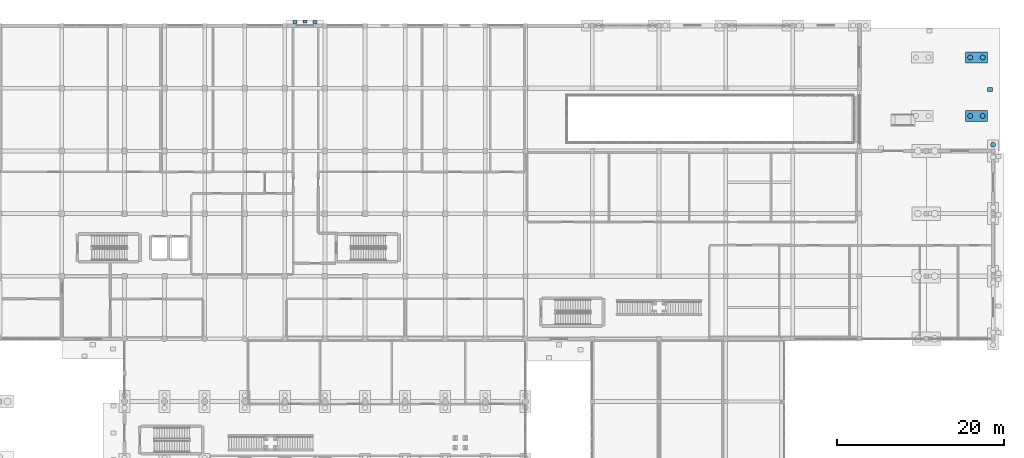
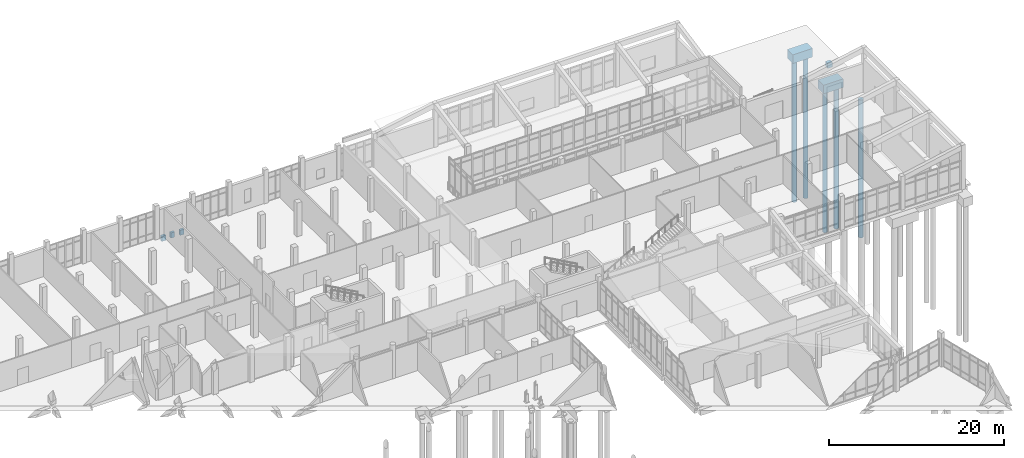
# One storey, part 6 of 173: 6 footings, 5 piles.
"""IFC4 building model written with IfcOpenShell, lengths in metres."""

from ifc_helpers import new_model, si_unit, direction, frame, origin, origin_2d, place, context, subcontext, project, spatial, rectangle, circle, extrude, material, material_profile, profile_set, type_object, element, save


model = new_model("IFC4")

# Units and contexts
model_context = context("Model", 3, precision=1e-05, world=origin(), true_north=direction((0.0, 1.0)))
body_context = subcontext(model_context, "Body", "Model", "MODEL_VIEW")
ifc_project = project(units=[si_unit("LENGTHUNIT", "METRE"), si_unit("AREAUNIT", "SQUARE_METRE"), si_unit("VOLUMEUNIT", "CUBIC_METRE"), si_unit("PLANEANGLEUNIT", "RADIAN"), si_unit("MASSUNIT", "GRAM", prefix="KILO")], contexts=[model_context])

# Site, building, storey
site_placement = place(None, origin())
site = spatial("IfcSite", under=ifc_project, at=site_placement, CompositionType="ELEMENT")
building_placement = place(site_placement, origin())
building = spatial("IfcBuilding", under=site, at=building_placement, Name="Mawjan Specialist Oncology Clinic", CompositionType="ELEMENT")
storey_placement = place(building_placement, origin())
storey = spatial("IfcBuildingStorey", under=building, at=storey_placement, Name="L00", CompositionType="ELEMENT", Elevation=0.0)

# Footings
ifc_material_1 = material(Name="Concrete C40/50", Category="concrete")
footing_type_1 = type_object("IfcFootingType", Name="PC-2A", PredefinedType="PILE_CAP", material=ifc_material_1)
for number, where, z_axis, x_axis, name in (
    (1, (162.0, 102.5, -1.4501953125), (0.0, 0.0, 1.0), (1.0, 0.0, 0.0), "Apron Perimeter Pile Cap 2"),
    (2, (162.0, 109.5, -1.4501953125), (0.0, 0.0, 1.0), (1.0, 0.0, 0.0), "Apron Perimeter Pile Cap 3"),
):
    element("IfcFooting", number, at=place(storey_placement, frame(where, z_axis=z_axis, x_axis=x_axis)), inside=storey, type_object=footing_type_1, Name=name, PredefinedType="PILE_CAP", context=body_context, shape_type="SweptSolid", body=[
        extrude(rectangle(XDim=2.60009765625, YDim=1.300048828125, at=origin_2d()), origin(), (0.0, 0.0, 1.0), 1.199951171875),
    ])

# Piles
ifc_material_2 = material(Name="Concrete C40/50", Category="concrete")
ifc_material_profile = material_profile(ifc_material_2, circle(Radius=0.300048828125, at=origin_2d()), Name="BORED PILE D600", Category="concrete")
ifc_profile_set = profile_set([ifc_material_profile], Name="Concrete C40/50")
pile_type = type_object("IfcPileType", Name="PILE-600", PredefinedType="BORED", material=ifc_profile_set)
pile_placement = place(storey_placement, frame((164.0, 99.050048828125, -1.550048828125), z_axis=(0.0, 0.0, -1.0), x_axis=(1.0, 0.0, 0.0)))
element("IfcPile", 3, at=pile_placement, inside=storey, type_object=pile_type, Name="Bored Pile PIL-0647", PredefinedType="BORED", context=body_context, shape_type="SweptSolid", body=[
    extrude(circle(Radius=0.300048828125, at=origin_2d()), origin(), (0.0, 0.0, 1.0), 19.25),
])
for number, where, z_axis, x_axis, name in (
    (4, (161.25, 102.5, -1.35009765625), (0.0, 0.0, -1.0), (1.0, 0.0, 0.0), "Apron Bored Pile 2-1"),
    (5, (162.75, 102.5, -1.35009765625), (0.0, 0.0, -1.0), (1.0, 0.0, 0.0), "Apron Bored Pile 2-2"),
    (6, (161.25, 109.5, -1.35009765625), (0.0, 0.0, -1.0), (1.0, 0.0, 0.0), "Apron Bored Pile 3-1"),
    (7, (162.75, 109.5, -1.35009765625), (0.0, 0.0, -1.0), (1.0, 0.0, 0.0), "Apron Bored Pile 3-2"),
):
    element("IfcPile", number, at=place(storey_placement, frame(where, z_axis=z_axis, x_axis=x_axis)), inside=storey, type_object=pile_type, Name=name, PredefinedType="BORED", context=body_context, shape_type="SweptSolid", body=[
        extrude(circle(Radius=0.300048828125, at=origin_2d()), origin(), (0.0, 0.0, 1.0), 19.85009765625),
    ])

# Footings
ifc_material_3 = material(Name="Concrete C40/50", Category="concrete")
footing_type_2 = type_object("IfcFootingType", Name="SF-500", PredefinedType="STRIP_FOOTING", material=ifc_material_3)
for number, where, z_axis, x_axis, name in (
    (8, (80.39990234375, 113.739990234375, -0.9501953125), (0.0, 0.0, 1.0), (1.0, 0.0, 0.0), "Apron Grade Strip SLB-APR-K4-1"),
    (9, (82.800048828125, 113.739990234375, -0.9501953125), (0.0, 0.0, 1.0), (1.0, 0.0, 0.0), "Apron Grade Strip SLB-APR-K4-2"),
    (10, (81.60009765625, 113.800048828125, -0.9501953125), (0.0, 0.0, 1.0), (1.0, 0.0, 0.0), "Apron Grade Strip SLB-APR-K4-3"),
):
    element("IfcFooting", number, at=place(storey_placement, frame(where, z_axis=z_axis, x_axis=x_axis)), inside=storey, type_object=footing_type_2, Name=name, PredefinedType="STRIP_FOOTING", context=body_context, shape_type="SweptSolid", body=[
        extrude(rectangle(XDim=0.5, YDim=0.320068359375, at=origin_2d()), origin(), (0.0, 0.0, 1.0), 0.699951171875),
    ])
footing_placement = place(storey_placement, frame((163.60009765625, 105.64990234375, -0.9501953125), z_axis=(0.0, 0.0, 1.0), x_axis=(1.0, 0.0, 0.0)))
element("IfcFooting", 11, at=footing_placement, inside=storey, type_object=footing_type_2, Name="Apron Grade Strip SLB-APR-E1-2", PredefinedType="STRIP_FOOTING", context=body_context, shape_type="SweptSolid", body=[
    extrude(rectangle(XDim=0.60009765625, YDim=0.5, at=origin_2d()), origin(), (0.0, 0.0, 1.0), 0.699951171875),
])

save(model, "model.ifc")
